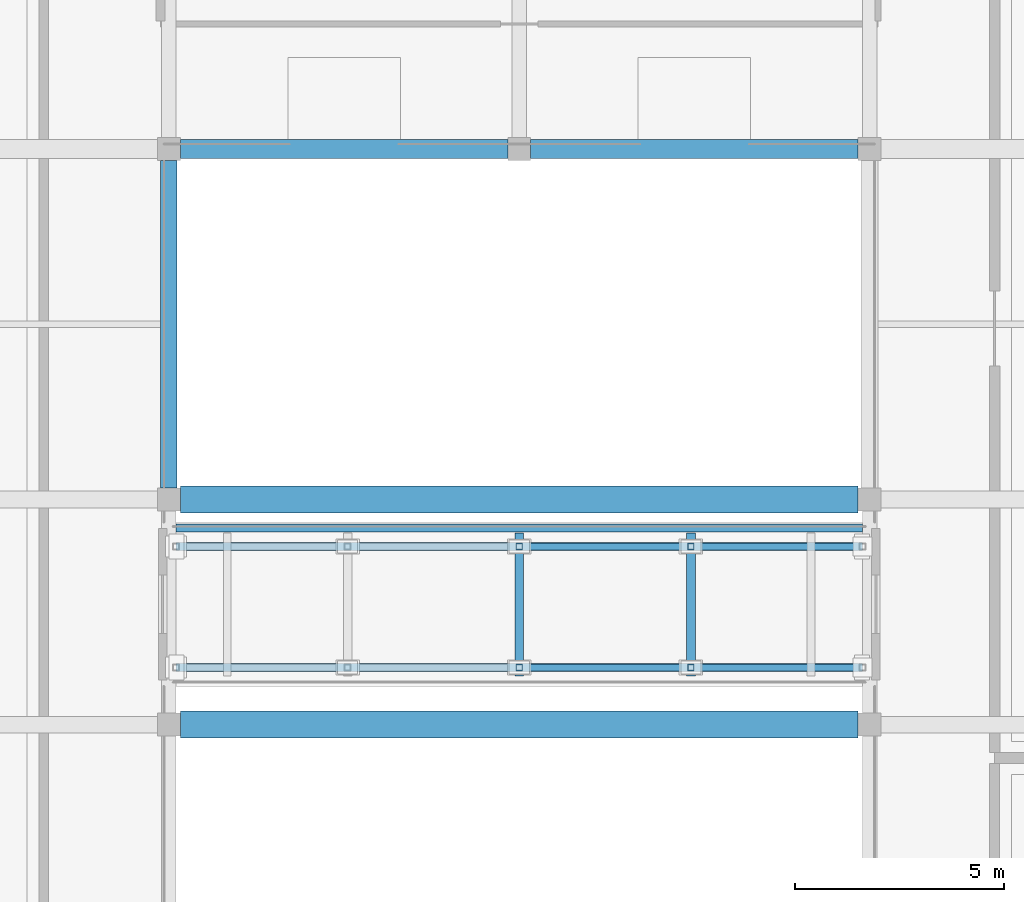
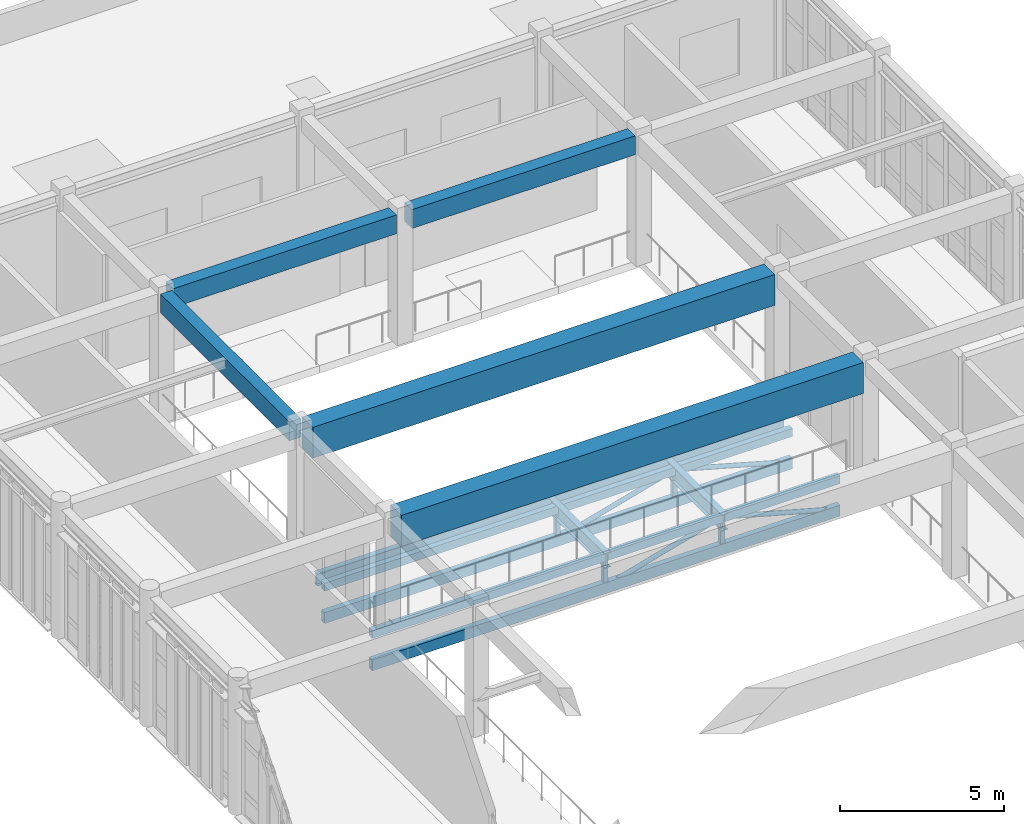
# One storey, part 27 of 77: 12 members, 8 beams.
"""IFC4 building model written with IfcOpenShell, lengths in metres."""

from ifc_helpers import new_model, si_unit, direction, frame, origin, origin_2d, place, context, subcontext, project, spatial, rectangle, hollow_rectangle, hollow_circle, i_section, extrude, material, material_profile, profile_set, type_object, element, save


model = new_model("IFC4")

# Units and contexts
model_context = context("Model", 3, precision=1e-05, world=origin(), true_north=direction((0.0, 1.0)))
body_context = subcontext(model_context, "Body", "Model", "MODEL_VIEW")
ifc_project = project(units=[si_unit("LENGTHUNIT", "METRE"), si_unit("AREAUNIT", "SQUARE_METRE"), si_unit("VOLUMEUNIT", "CUBIC_METRE"), si_unit("PLANEANGLEUNIT", "RADIAN"), si_unit("MASSUNIT", "GRAM", prefix="KILO")], contexts=[model_context])

# Site, building, storey
site_placement = place(None, origin())
site = spatial("IfcSite", under=ifc_project, at=site_placement, CompositionType="ELEMENT")
building_placement = place(site_placement, origin())
building = spatial("IfcBuilding", under=site, at=building_placement, Name="Krzemoval Escarpment Law Courts", CompositionType="ELEMENT")
storey_placement = place(building_placement, frame((0.0, 0.0, 15.300048828125)))
storey = spatial("IfcBuildingStorey", under=building, at=storey_placement, Name="L03", CompositionType="ELEMENT", Elevation=15.300048828125)

# Beams
ifc_material_1 = material(Name="Concrete C50/60", Category="concrete")
ifc_material_profile_1 = material_profile(ifc_material_1, rectangle(XDim=0.64990234375, YDim=1.14990234375, at=origin_2d()), Name="PTG 650x1150")
ifc_profile_set_1 = profile_set([ifc_material_profile_1], Name="Concrete C50/60")
beam_type_1 = type_object("IfcBeamType", Name="BM-PTG-650x1150", PredefinedType="BEAM", material=ifc_profile_set_1)
for number, where, z_axis, x_axis, name in (
    (1, (17.074951171875, 79.800048828125, 4.264892578125), (1.0, 0.0, 0.0), (0.0, 1.0, 0.0), "Beam FG-L03-2169"),
    (2, (17.074951171875, 85.199951171875, 4.264892578125), (1.0, 0.0, 0.0), (0.0, 1.0, 0.0), "Beam FG-L03-2174"),
):
    element("IfcBeam", number, at=place(storey_placement, frame(where, z_axis=z_axis, x_axis=x_axis)), inside=storey, type_object=beam_type_1, Name=name, PredefinedType="BEAM", context=body_context, shape_type="SweptSolid", body=[
        extrude(rectangle(XDim=0.64990234375, YDim=1.14990234375, at=origin_2d()), origin(), (0.0, 0.0, 1.0), 16.25),
    ])
ifc_material_2 = material(Name="Concrete C40/50", Category="concrete")
ifc_material_profile_2 = material_profile(ifc_material_2, rectangle(XDim=0.39990234375, YDim=0.699951171875, at=origin_2d()), Name="RCB 400x700")
ifc_profile_set_2 = profile_set([ifc_material_profile_2], Name="Concrete C40/50")
beam_type_2 = type_object("IfcBeamType", Name="BM-RC-400x700", PredefinedType="BEAM", material=ifc_profile_set_2)
beam_1_placement = place(storey_placement, frame((16.800048828125, 85.47509765625, 4.489990234375), z_axis=(0.0, 1.0, 0.0), x_axis=(-1.0, 0.0, 0.0)))
element("IfcBeam", 3, at=beam_1_placement, inside=storey, type_object=beam_type_2, Name="Beam FG-L03-2238", PredefinedType="BEAM", context=body_context, shape_type="SweptSolid", body=[
    extrude(rectangle(XDim=0.39990234375, YDim=0.699951171875, at=origin_2d()), origin(), (0.0, 0.0, 1.0), 7.849853515625),
])
ifc_material_3 = material(Name="Concrete C40/50", Category="concrete")
ifc_material_profile_3 = material_profile(ifc_material_3, rectangle(XDim=0.449951171875, YDim=0.699951171875, at=origin_2d()), Name="RCB 450x700")
ifc_profile_set_3 = profile_set([ifc_material_profile_3], Name="Concrete C40/50")
beam_type_3 = type_object("IfcBeamType", Name="BM-RC-450x700", PredefinedType="BEAM", material=ifc_profile_set_3)
beam_2_placement = place(storey_placement, frame((17.074951171875, 93.60009765625, 4.489990234375), z_axis=(1.0, 0.0, 0.0), x_axis=(0.0, 1.0, 0.0)))
element("IfcBeam", 4, at=beam_2_placement, inside=storey, type_object=beam_type_3, Name="Beam FG-L03-2179", PredefinedType="BEAM", context=body_context, shape_type="SweptSolid", body=[
    extrude(rectangle(XDim=0.449951171875, YDim=0.699951171875, at=origin_2d()), origin(), (0.0, 0.0, 1.0), 7.85009765625),
])
beam_3_placement = place(storey_placement, frame((25.47509765625, 93.60009765625, 4.489990234375), z_axis=(1.0, 0.0, 0.0), x_axis=(0.0, 1.0, 0.0)))
element("IfcBeam", 5, at=beam_3_placement, inside=storey, type_object=beam_type_3, Name="Beam FG-L03-2180", PredefinedType="BEAM", context=body_context, shape_type="SweptSolid", body=[
    extrude(rectangle(XDim=0.449951171875, YDim=0.699951171875, at=origin_2d()), origin(), (0.0, 0.0, 1.0), 7.849853515625),
])
ifc_material_4 = material(Name="Steel S355", Category="steel")
ifc_material_profile_4 = material_profile(ifc_material_4, i_section(OverallWidth=0.18994140625, OverallDepth=0.449951171875, WebThickness=0.009521484375, FlangeThickness=0.0146484375, at=origin_2d()), Name="IPE 450")
ifc_profile_set_4 = profile_set([ifc_material_profile_4], Name="Steel S355")
beam_type_4 = type_object("IfcBeamType", Name="BM-S355-IPE450", PredefinedType="BEAM", material=ifc_profile_set_4)
beam_4_placement = place(storey_placement, frame((16.969970703125, 84.510009765625, -0.525146484375), z_axis=(1.0, 0.0, 0.0), x_axis=(0.0, 1.0, 0.0)))
element("IfcBeam", 6, at=beam_4_placement, inside=storey, type_object=beam_type_4, Name="Sky-Bridge Stair Header Beam BSB-BRG-N-L03", PredefinedType="BEAM", context=body_context, shape_type="SweptSolid", body=[
    extrude(i_section(OverallWidth=0.18994140625, OverallDepth=0.449951171875, WebThickness=0.009521484375, FlangeThickness=0.0146484375, at=origin_2d()), origin(), (0.0, 0.0, 1.0), 16.4599609375),
])
ifc_material_5 = material(Name="Steel S355", Category="steel")
ifc_material_profile_5 = material_profile(ifc_material_5, i_section(OverallWidth=0.2099609375, OverallDepth=0.550048828125, WebThickness=0.010986328125, FlangeThickness=0.01708984375, at=origin_2d()), Name="IPE 550")
ifc_profile_set_5 = profile_set([ifc_material_profile_5], Name="Steel S355")
beam_type_5 = type_object("IfcBeamType", Name="BM-S355-IPE550", PredefinedType="BEAM", material=ifc_profile_set_5)
beam_5_placement = place(storey_placement, frame((25.199951171875, 80.969970703125, -0.574951171875), z_axis=(0.0, 1.0, 0.0), x_axis=(-1.0, 0.0, 0.0)))
element("IfcBeam", 7, at=beam_5_placement, inside=storey, type_object=beam_type_5, Name="Bridge Cross Beam BBMN-L03-03", PredefinedType="BEAM", context=body_context, shape_type="SweptSolid", body=[
    extrude(i_section(OverallWidth=0.2099609375, OverallDepth=0.550048828125, WebThickness=0.010986328125, FlangeThickness=0.01708984375, at=origin_2d()), origin(), (0.0, 0.0, 1.0), 3.429931640625),
])
ifc_material_6 = material(Name="Steel S355", Category="steel")
ifc_material_profile_6 = material_profile(ifc_material_6, i_section(OverallWidth=0.219970703125, OverallDepth=0.60009765625, WebThickness=0.011962890625, FlangeThickness=0.01904296875, at=origin_2d()), Name="IPE 600")
ifc_profile_set_6 = profile_set([ifc_material_profile_6], Name="Steel S355")
beam_type_6 = type_object("IfcBeamType", Name="BM-S355-IPE600", PredefinedType="BEAM", material=ifc_profile_set_6)
beam_6_placement = place(storey_placement, frame((29.31494140625, 80.969970703125, -0.60009765625), z_axis=(0.0, 1.0, 0.0), x_axis=(-1.0, 0.0, 0.0)))
element("IfcBeam", 8, at=beam_6_placement, inside=storey, type_object=beam_type_6, Name="Bridge Cross Beam BBMN-L03-04", PredefinedType="BEAM", context=body_context, shape_type="SweptSolid", body=[
    extrude(i_section(OverallWidth=0.219970703125, OverallDepth=0.60009765625, WebThickness=0.011962890625, FlangeThickness=0.01904296875, at=origin_2d()), origin(), (0.0, 0.0, 1.0), 3.429931640625),
])

# Members
ifc_material_7 = material(Name="Steel S355", Category="steel")
ifc_material_profile_7 = material_profile(ifc_material_7, hollow_circle(Radius=0.084228515625, WallThickness=0.008056640625, at=origin_2d()), Name="CHS 168.3x8")
ifc_profile_set_7 = profile_set([ifc_material_profile_7], Name="Steel S355")
member_type_1 = type_object("IfcMemberType", Name="MBR-BRC-CHS168", PredefinedType="BRACE", material=ifc_profile_set_7)
for number, where, z_axis, x_axis, name in (
    (9, (25.199951171875, 81.169921875, -1.670166015625), (0.963088538909, 0.0, 0.269184817965), (0.0, 1.0, 0.0), "Bridge Truss Diagonal BBR-0209"),
    (10, (29.31494140625, 81.169921875, -0.52001953125), (0.963088538909, 0.0, -0.269184817965), (0.0, 1.0, 0.0), "Bridge Truss Diagonal BBR-0210"),
    (11, (25.199951171875, 84.070068359375, -1.670166015625), (0.963088538909, 0.0, 0.269184817965), (0.0, 1.0, 0.0), "Bridge Truss Diagonal BBR-0220"),
    (12, (29.31494140625, 84.070068359375, -0.52001953125), (0.963088538909, 0.0, -0.269184817965), (0.0, 1.0, 0.0), "Bridge Truss Diagonal BBR-0221"),
):
    element("IfcMember", number, at=place(storey_placement, frame(where, z_axis=z_axis, x_axis=x_axis)), inside=storey, type_object=member_type_1, Name=name, PredefinedType="BRACE", context=body_context, shape_type="SweptSolid", body=[
        extrude(hollow_circle(Radius=0.084228515625, WallThickness=0.008056640625, at=origin_2d()), origin(), (0.0, 0.0, 1.0), 4.272705078125),
    ])
ifc_material_8 = material(Name="Steel S355", Category="steel")
ifc_material_profile_8 = material_profile(ifc_material_8, hollow_rectangle(XDim=0.199951171875, YDim=0.300048828125, WallThickness=0.012451171875, at=origin_2d()), Name="RHS 300x200x12.5")
ifc_profile_set_8 = profile_set([ifc_material_profile_8], Name="Steel S355")
member_type_2 = type_object("IfcMemberType", Name="MBR-CHD-RHS300", PredefinedType="CHORD", material=ifc_profile_set_8)
for number, where, z_axis, x_axis, name in (
    (13, (16.969970703125, 81.169921875, -0.52001953125), (1.0, 0.0, 0.0), (0.0, 1.0, 0.0), "Bridge Truss Chord BTC-0206"),
    (14, (16.969970703125, 84.070068359375, -0.52001953125), (1.0, 0.0, 0.0), (0.0, 1.0, 0.0), "Bridge Truss Chord BTC-0217"),
):
    element("IfcMember", number, at=place(storey_placement, frame(where, z_axis=z_axis, x_axis=x_axis)), inside=storey, type_object=member_type_2, Name=name, PredefinedType="CHORD", context=body_context, shape_type="SweptSolid", body=[
        extrude(hollow_rectangle(XDim=0.199951171875, YDim=0.300048828125, WallThickness=0.012451171875, at=origin_2d()), origin(), (0.0, 0.0, 1.0), 16.4599609375),
    ])
ifc_material_9 = material(Name="Steel S355", Category="steel")
ifc_material_profile_9 = material_profile(ifc_material_9, hollow_rectangle(XDim=0.199951171875, YDim=0.39990234375, WallThickness=0.012451171875, at=origin_2d()), Name="RHS 400x200x12.5")
ifc_profile_set_9 = profile_set([ifc_material_profile_9], Name="Steel S355")
member_type_3 = type_object("IfcMemberType", Name="MBR-CHD-RHS400", PredefinedType="CHORD", material=ifc_profile_set_9)
for number, where, z_axis, x_axis, name in (
    (15, (16.969970703125, 81.169921875, -1.670166015625), (1.0, 0.0, 0.0), (0.0, 1.0, 0.0), "Bridge Truss Chord BTC-0205"),
    (16, (16.969970703125, 84.070068359375, -1.670166015625), (1.0, 0.0, 0.0), (0.0, 1.0, 0.0), "Bridge Truss Chord BTC-0216"),
):
    element("IfcMember", number, at=place(storey_placement, frame(where, z_axis=z_axis, x_axis=x_axis)), inside=storey, type_object=member_type_3, Name=name, PredefinedType="CHORD", context=body_context, shape_type="SweptSolid", body=[
        extrude(hollow_rectangle(XDim=0.199951171875, YDim=0.39990234375, WallThickness=0.012451171875, at=origin_2d()), origin(), (0.0, 0.0, 1.0), 16.4599609375),
    ])
ifc_material_10 = material(Name="Steel S355", Category="steel")
ifc_material_profile_10 = material_profile(ifc_material_10, hollow_rectangle(XDim=0.14990234375, YDim=0.14990234375, WallThickness=0.008056640625, at=origin_2d()), Name="SHS 150x150x8")
ifc_profile_set_10 = profile_set([ifc_material_profile_10], Name="Steel S355")
member_type_4 = type_object("IfcMemberType", Name="MBR-STR-SHS150", PredefinedType="STRUT", material=ifc_profile_set_10)
for number, where, z_axis, x_axis, name in (
    (17, (25.199951171875, 81.169921875, -1.670166015625), (0.0, 0.0, 1.0), (1.0, 0.0, 0.0), "Bridge Truss Strut BST-0213"),
    (18, (29.31494140625, 81.169921875, -1.670166015625), (0.0, 0.0, 1.0), (1.0, 0.0, 0.0), "Bridge Truss Strut BST-0214"),
    (19, (25.199951171875, 84.070068359375, -1.670166015625), (0.0, 0.0, 1.0), (1.0, 0.0, 0.0), "Bridge Truss Strut BST-0224"),
    (20, (29.31494140625, 84.070068359375, -1.670166015625), (0.0, 0.0, 1.0), (1.0, 0.0, 0.0), "Bridge Truss Strut BST-0225"),
):
    element("IfcMember", number, at=place(storey_placement, frame(where, z_axis=z_axis, x_axis=x_axis)), inside=storey, type_object=member_type_4, Name=name, PredefinedType="STRUT", context=body_context, shape_type="SweptSolid", body=[
        extrude(hollow_rectangle(XDim=0.14990234375, YDim=0.14990234375, WallThickness=0.008056640625, at=origin_2d()), origin(), (0.0, 0.0, 1.0), 1.150146484375),
    ])

save(model, "model.ifc")
